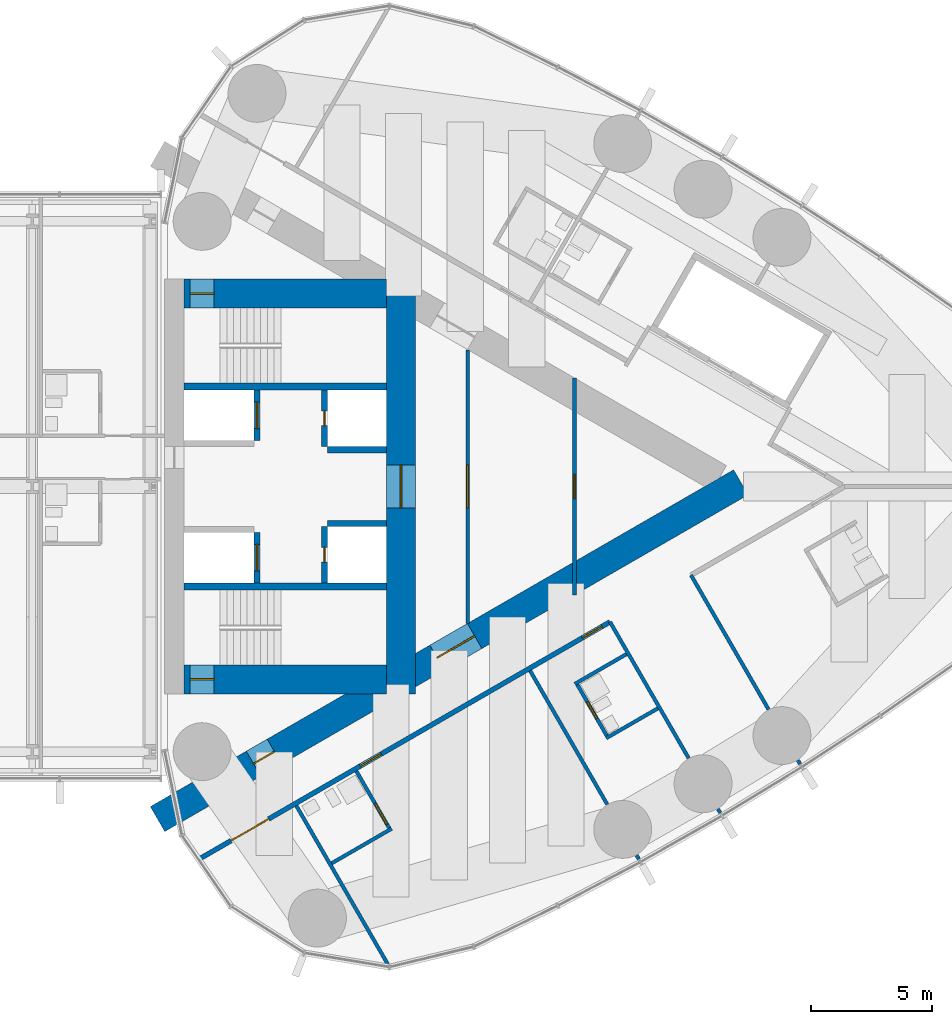
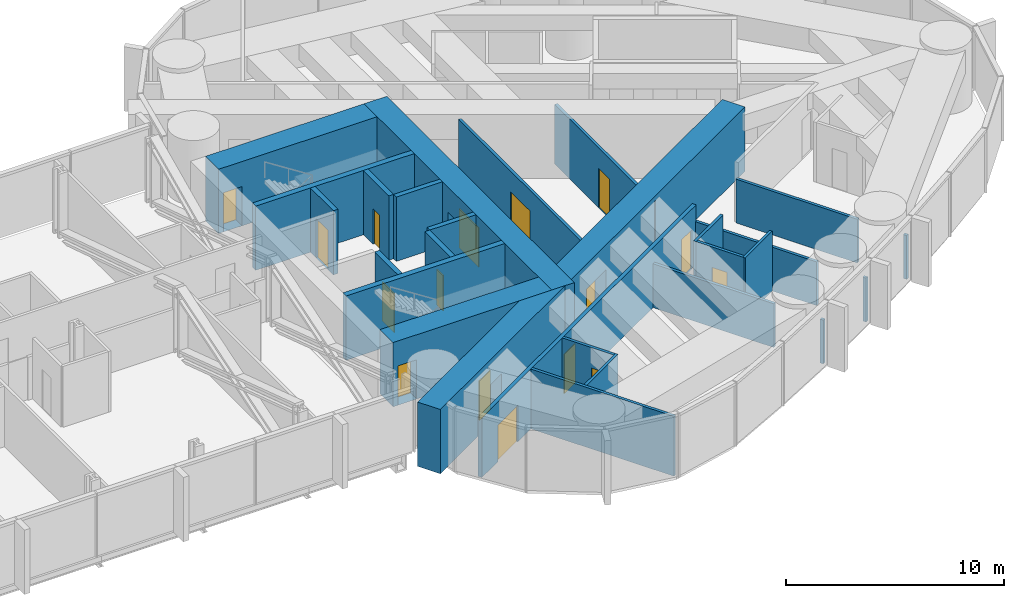
# One storey, part 18 of 22: 27 walls, 16 doors, 16 openings.
"""IFC4 building model written with IfcOpenShell, lengths in metres."""

import ifcopenshell
import ifcopenshell.guid

model = None  # the IFC model being written
_history = None  # IfcOwnerHistory: only IFC2X3 demands one
_inside = {}  # id of a spatial element -> (the spatial element, [elements in it])
_under = {}  # id of a project, library or spatial element -> (it, [spatial elements below it])
_declared = {}  # id of a project -> (the project, [libraries it declares])
_typed = {}  # id of a type object -> (the type object, [elements of that type])
_made_of = {}  # id of a material, layer set ... -> (it, [elements and type objects made of it])


def new_model(schema):
    """Start an empty IFC model of exactly this schema.

    Asked for "IFC4X3", IfcOpenShell would pick the latest addendum, in which some entities
    have other attributes; the version numbers below select the first issue.
    IFC2X3 requires an IfcOwnerHistory on every rooted entity: one is made here for all.
    """
    global model, _history
    if schema == "IFC4X3":
        model = ifcopenshell.file(schema_version=(4, 3, 0, 0))
    else:
        model = ifcopenshell.file(schema=schema)
    _inside.clear()
    _under.clear()
    _declared.clear()
    _typed.clear()
    _made_of.clear()
    _history = None
    if model.schema == "IFC2X3":
        org = make("IfcOrganization", Name="unknown")
        user = make(
            "IfcPersonAndOrganization",
            ThePerson=make("IfcPerson", FamilyName="unknown"),
            TheOrganization=org,
        )
        app = make(
            "IfcApplication",
            ApplicationDeveloper=org,
            Version="unknown",
            ApplicationFullName="unknown",
            ApplicationIdentifier="unknown",
        )
        _history = make(
            "IfcOwnerHistory",
            OwningUser=user,
            OwningApplication=app,
            ChangeAction="ADDED",
            CreationDate=0,
        )
    return model


def make(cls, **values):
    """One entity of the class cls with the attributes given. An attribute that is None is left unset."""
    return model.create_entity(
        cls, **{name: value for name, value in values.items() if value is not None}
    )


def rooted(cls, **values):
    """An entity with a GlobalId (a new one), such as an element, a storey or a relation."""
    return make(cls, GlobalId=ifcopenshell.guid.new(), OwnerHistory=_history, **values)


def si_unit(unit_type, name, prefix=None):
    """IfcSIUnit, for example si_unit("LENGTHUNIT", "METRE", prefix="MILLI")."""
    return make("IfcSIUnit", UnitType=unit_type, Prefix=prefix, Name=name)


def assignment(units):
    """IfcUnitAssignment: the units of a project."""
    return None if units is None else make("IfcUnitAssignment", Units=units)


def point(xyz):
    """IfcCartesianPoint."""
    return None if xyz is None else make("IfcCartesianPoint", Coordinates=xyz)


def direction(xyz):
    """IfcDirection."""
    return None if xyz is None else make("IfcDirection", DirectionRatios=xyz)


def frame(location, z_axis=None, x_axis=None):
    """IfcAxis2Placement3D, a coordinate frame: its origin and axes. An axis left out is left unset."""
    return make(
        "IfcAxis2Placement3D",
        Location=point(location),
        Axis=direction(z_axis),
        RefDirection=direction(x_axis),
    )


def frame_2d(location, x_axis=None):
    """IfcAxis2Placement2D, a coordinate frame in the plane: its origin and x axis."""
    return make(
        "IfcAxis2Placement2D", Location=point(location), RefDirection=direction(x_axis)
    )


def origin():
    """The frame at (0, 0, 0) with its axes left unset."""
    return frame((0.0, 0.0, 0.0))


def place(relative_to, where):
    """IfcLocalPlacement: puts the frame where relative to a parent placement (None: the world)."""
    return make(
        "IfcLocalPlacement", PlacementRelTo=relative_to, RelativePlacement=where
    )


def context(
    kind, dimensions, precision=None, world=None, true_north=None, identifier=None
):
    """IfcGeometricRepresentationContext, for example the 3D "Model" context."""
    return make(
        "IfcGeometricRepresentationContext",
        ContextIdentifier=identifier,
        ContextType=kind,
        CoordinateSpaceDimension=dimensions,
        Precision=precision,
        WorldCoordinateSystem=world,
        TrueNorth=true_north,
    )


def subcontext(parent, identifier, kind, view, scale=None):
    """IfcGeometricRepresentationSubContext, for example "Body" below "Model"."""
    return make(
        "IfcGeometricRepresentationSubContext",
        ContextIdentifier=identifier,
        ContextType=kind,
        ParentContext=parent,
        TargetScale=scale,
        TargetView=view,
    )


def project(units=None, contexts=None):
    """IfcProject with its units and contexts."""
    return rooted(
        "IfcProject",
        Name="project",
        RepresentationContexts=contexts,
        UnitsInContext=assignment(units),
    )


def spatial(cls, under=None, at=None, **own):
    """A site, building, storey or space (cls), placed at a placement, below another one or the project."""
    s = rooted(cls, ObjectPlacement=at, **own)
    if under is not None:
        _under.setdefault(under.id(), (under, []))[1].append(s)
    return s


def profile(cls, at=None, kind="AREA", **sizes):
    """A parametric profile (cls). Its sizes go by their IFC names, for example OverallWidth=200.0."""
    return make(cls, ProfileType=kind, Position=at, **sizes)


def rectangle(**sizes):
    """IfcRectangleProfileDef."""
    return profile("IfcRectangleProfileDef", **sizes)


def extrude(swept, where, along, depth):
    """IfcExtrudedAreaSolid: the profile swept, set in the frame where, extruded along a direction by depth."""
    return make(
        "IfcExtrudedAreaSolid",
        SweptArea=swept,
        Position=where,
        ExtrudedDirection=direction(along),
        Depth=depth,
    )


def shape(context_of_items, identifier, shape_type, items):
    """IfcShapeRepresentation: the items that make up one representation, for example the "Body"."""
    return make(
        "IfcShapeRepresentation",
        ContextOfItems=context_of_items,
        RepresentationIdentifier=identifier,
        RepresentationType=shape_type,
        Items=items,
    )


def material(Name=None, Category=None):
    """IfcMaterial."""
    return make("IfcMaterial", Name=Name, Category=Category)


def layer(
    of_material, thickness, ventilated=None, Name=None, Category=None, Priority=None
):
    """IfcMaterialLayer: one layer of a wall or slab, of a material (None: an air gap)."""
    return make(
        "IfcMaterialLayer",
        Material=of_material,
        LayerThickness=thickness,
        IsVentilated=ventilated,
        Name=Name,
        Category=Category,
        Priority=Priority,
    )


def layer_set(layers, Name=None):
    """IfcMaterialLayerSet."""
    return make("IfcMaterialLayerSet", MaterialLayers=layers, LayerSetName=Name)


def made_of(thing, what):
    """Note that an element or type object is made of a material, layer set ...; save() writes the relation."""
    if what is not None:
        _made_of.setdefault(what.id(), (what, []))[1].append(thing)
    return thing


def type_object(cls, material=None, **own):
    """A type object (cls), such as IfcWallType, which elements share."""
    return made_of(rooted(cls, **own), material)


def element(
    cls,
    number,
    at=None,
    inside=None,
    cuts=None,
    type_object=None,
    material=None,
    context=None,
    identifier="Body",
    shape_type=None,
    held_by="IfcProductDefinitionShape",
    body=None,
    shapes=None,
    **own,
):
    """One element of the class cls, such as IfcWall. Its Tag is "e" and its number.

    at: its placement. inside: the storey or other place that contains it. cuts: it is an
    opening in that element (IfcRelVoidsElement). A single representation is given by context,
    identifier, shape_type and body (its items); several are given by shapes. held_by: the class
    of the entity that holds the representations. save() writes the other relations.
    """
    e = rooted(cls, Tag="e%d" % number, ObjectPlacement=at, **own)
    if body is not None:
        shapes = [shape(context, identifier, shape_type, body)]
    if shapes is not None:
        e.Representation = make(held_by, Representations=shapes)
    if inside is not None:
        _inside.setdefault(inside.id(), (inside, []))[1].append(e)
    if cuts is not None:
        rooted(
            "IfcRelVoidsElement", RelatingBuildingElement=cuts, RelatedOpeningElement=e
        )
    if type_object is not None:
        _typed.setdefault(type_object.id(), (type_object, []))[1].append(e)
    return made_of(e, material)


def fill(opening, filler):
    """IfcRelFillsElement: the door or window that sits in an opening."""
    return rooted(
        "IfcRelFillsElement",
        RelatingOpeningElement=opening,
        RelatedBuildingElement=filler,
    )


def aggregate(whole, parts):
    """IfcRelAggregates: a whole, such as a stair, and the parts it consists of."""
    return rooted("IfcRelAggregates", RelatingObject=whole, RelatedObjects=parts)


def save(model, path):
    """Write the relations noted so far, then the file.

    IfcRelAggregates (storeys below a building ...), IfcRelContainedInSpatialStructure (elements
    in a storey), IfcRelDefinesByType, IfcRelAssociatesMaterial and IfcRelDeclares: one each for
    every whole, place, type object, material and project.
    """
    for whole, parts in _under.values():
        aggregate(whole, parts)
    for where, things in _inside.values():
        rooted(
            "IfcRelContainedInSpatialStructure",
            RelatedElements=things,
            RelatingStructure=where,
        )
    for kind, things in _typed.values():
        rooted("IfcRelDefinesByType", RelatedObjects=things, RelatingType=kind)
    for what, things in _made_of.values():
        rooted("IfcRelAssociatesMaterial", RelatedObjects=things, RelatingMaterial=what)
    for by, libraries in _declared.values():
        rooted("IfcRelDeclares", RelatingContext=by, RelatedDefinitions=libraries)
    model.write(path)


model = new_model("IFC4")

# Units and contexts
model_context = context("Model", 3, precision=1e-05, world=origin(), true_north=direction((0.0, 1.0)))
body_context = subcontext(model_context, "Body", "Model", "MODEL_VIEW")
ifc_project = project(units=[si_unit("LENGTHUNIT", "METRE"), si_unit("AREAUNIT", "SQUARE_METRE"), si_unit("VOLUMEUNIT", "CUBIC_METRE"), si_unit("PLANEANGLEUNIT", "RADIAN"), si_unit("MASSUNIT", "GRAM", prefix="KILO")], contexts=[model_context])

# Site, building, storey
site_placement = place(None, origin())
site = spatial("IfcSite", under=ifc_project, at=site_placement, CompositionType="ELEMENT")
building_placement = place(site_placement, origin())
building = spatial("IfcBuilding", under=site, at=building_placement, Name="Lancet Gate Hotel", CompositionType="ELEMENT")
storey_placement = place(building_placement, frame((0.0, 0.0, 226.10009765625)))
storey = spatial("IfcBuildingStorey", under=building, at=storey_placement, Name="L60", CompositionType="ELEMENT", Elevation=226.10009765625)

# Wall
ifc_material_1 = material(Name="Moisture resistant board partition")
ifc_layer_1 = layer(ifc_material_1, 0.14990234375)
ifc_layer_set_1 = layer_set([ifc_layer_1], Name="Bathroom wall 150")
wall_type_1 = type_object("IfcWallType", Name="Bathroom wall 150", PredefinedType="PARTITIONING", material=ifc_layer_set_1)
wall_1_placement = place(storey_placement, frame((34.425048828125, -15.633056640625, 0.0), z_axis=(0.0, 0.0, 1.0), x_axis=(0.866018712932, 0.500011588718, 0.0)))
element("IfcWall", 1, at=wall_1_placement, inside=storey, type_object=wall_type_1, Name="T2 bathroom wall 150 L60", PredefinedType="PARTITIONING", context=body_context, shape_type="SweptSolid", body=[
    extrude(rectangle(XDim=2.875, YDim=0.14990234375, at=frame_2d((1.4375, 0.0))), origin(), (0.0, 0.0, 1.0), 3.349853515625),
])

# Wall, opening, door
wall_2_placement = place(storey_placement, frame((35.449951171875, -11.80810546875, 0.0), z_axis=(0.0, 0.0, 1.0), x_axis=(0.49994636267, -0.866056369097, 0.0)))
wall_2 = element("IfcWall", 2, at=wall_2_placement, inside=storey, type_object=wall_type_1, Name="T2 bathroom wall 150 L60", PredefinedType="PARTITIONING", context=body_context, shape_type="SweptSolid", body=[
    extrude(rectangle(XDim=2.800048828125, YDim=0.14990234375, at=frame_2d((1.39990234375, 0.0))), origin(), (0.0, 0.0, 1.0), 3.349853515625),
])
opening_1_placement = place(wall_2_placement, frame((1.550048828125, 0.0, 0.0)))
opening_1 = element("IfcOpeningElement", 3, at=opening_1_placement, cuts=wall_2, Name="Opening 6052-B", PredefinedType="OPENING", context=body_context, shape_type="SweptSolid", body=[
    extrude(rectangle(XDim=1.0, YDim=2.199951171875, at=frame_2d((0.5, 1.10009765625))), frame((0.0, 0.0849609375, 0.0), z_axis=(0.0, -1.0, 0.0), x_axis=(1.0, 0.0, 0.0)), (0.0, 0.0, 1.0), 0.169921875),
])
ifc_material_2 = material(Name="Timber door set", Category="wood")
door_type_1 = type_object("IfcDoorType", Name="Accessible en-suite door 1000", OperationType="SINGLE_SWING_RIGHT", PredefinedType="DOOR", material=ifc_material_2)
door_1_placement = place(opening_1_placement, origin())
door_1 = element("IfcDoor", 4, at=door_1_placement, inside=storey, type_object=door_type_1, Name="6052-B", OperationType="SINGLE_SWING_RIGHT", OverallHeight=2.199951171875, OverallWidth=1.0, PredefinedType="DOOR", context=body_context, shape_type="SweptSolid", body=[
    extrude(rectangle(XDim=1.0, YDim=2.199951171875, at=frame_2d((0.5, 1.10009765625))), frame((0.0, 0.02490234375, 0.0), z_axis=(0.0, -1.0, 0.0), x_axis=(1.0, 0.0, 0.0)), (0.0, 0.0, 1.0), 0.050048828125),
])
fill(opening_1, door_1)

# Wall
wall_3_placement = place(storey_placement, frame((45.814453125, -10.44287109375, 0.0), z_axis=(0.0, 0.0, 1.0), x_axis=(0.866073894602, 0.499916002032, 0.0)))
element("IfcWall", 5, at=wall_3_placement, inside=storey, type_object=wall_type_1, Name="T2 bathroom wall 150 L60", PredefinedType="PARTITIONING", context=body_context, shape_type="SweptSolid", body=[
    extrude(rectangle(XDim=2.47509765625, YDim=0.14990234375, at=frame_2d((1.237548828125, 0.0))), origin(), (0.0, 0.0, 1.0), 3.349853515625),
])

# Wall, opening, door
wall_4_placement = place(storey_placement, frame((44.579345703125, -8.15380859375, 0.0), z_axis=(0.0, 0.0, 1.0), x_axis=(0.500006934395, -0.866021400173, 0.0)))
wall_4 = element("IfcWall", 6, at=wall_4_placement, inside=storey, type_object=wall_type_1, Name="T2 bathroom wall 150 L60", PredefinedType="PARTITIONING", context=body_context, shape_type="SweptSolid", body=[
    extrude(rectangle(XDim=2.60009765625, YDim=0.14990234375, at=frame_2d((1.300048828125, 0.0))), origin(), (0.0, 0.0, 1.0), 3.349853515625),
])
opening_2_placement = place(wall_4_placement, frame((0.89990234375, 0.0, 0.0)))
opening_2 = element("IfcOpeningElement", 7, at=opening_2_placement, cuts=wall_4, Name="Opening 6053-B", PredefinedType="OPENING", context=body_context, shape_type="SweptSolid", body=[
    extrude(rectangle(XDim=0.800048828125, YDim=2.199951171875, at=frame_2d((0.39990234375, 1.10009765625))), frame((0.0, 0.0849609375, 0.0), z_axis=(0.0, -1.0, 0.0), x_axis=(1.0, 0.0, 0.0)), (0.0, 0.0, 1.0), 0.169921875),
])
ifc_material_3 = material(Name="Timber door set", Category="wood")
door_type_2 = type_object("IfcDoorType", Name="Bathroom door 800", OperationType="SINGLE_SWING_RIGHT", PredefinedType="DOOR", material=ifc_material_3)
door_2_placement = place(opening_2_placement, origin())
door_2 = element("IfcDoor", 8, at=door_2_placement, inside=storey, type_object=door_type_2, Name="6053-B", OperationType="SINGLE_SWING_RIGHT", OverallHeight=2.199951171875, OverallWidth=0.800048828125, PredefinedType="DOOR", context=body_context, shape_type="SweptSolid", body=[
    extrude(rectangle(XDim=0.800048828125, YDim=2.199951171875, at=frame_2d((0.39990234375, 1.10009765625))), frame((0.0, 0.02490234375, 0.0), z_axis=(0.0, -1.0, 0.0), x_axis=(1.0, 0.0, 0.0)), (0.0, 0.0, 1.0), 0.050048828125),
])
fill(opening_2, door_2)

# Wall
wall_5_placement = place(storey_placement, frame((44.514404296875, -8.19140625, 0.0), z_axis=(0.0, 0.0, 1.0), x_axis=(0.866031185235, 0.4999899861, 0.0)))
element("IfcWall", 9, at=wall_5_placement, inside=storey, type_object=wall_type_1, Name="T2 bathroom wall 150 L60", PredefinedType="PARTITIONING", context=body_context, shape_type="SweptSolid", body=[
    extrude(rectangle(XDim=2.47509765625, YDim=0.14990234375, at=frame_2d((1.237548828125, 0.0))), origin(), (0.0, 0.0, 1.0), 3.349853515625),
])

# Wall, openings, doors
ifc_material_4 = material(Name="Concrete C70/85", Category="concrete")
ifc_layer_2 = layer(ifc_material_4, 1.199951171875)
ifc_layer_set_2 = layer_set([ifc_layer_2], Name="Buttress wall 1200")
wall_type_2 = type_object("IfcWallType", Name="Buttress wall 1200", PredefinedType="SHEAR", material=ifc_layer_set_2)
wall_6_placement = place(storey_placement, frame((27.199951171875, -13.800048828125, 0.0), z_axis=(0.0, 0.0, 1.0), x_axis=(0.866027159892, 0.499996958321, 0.0)))
wall_6 = element("IfcWall", 10, at=wall_6_placement, inside=storey, type_object=wall_type_2, Name="T2 buttress wall S L60", PredefinedType="SHEAR", context=body_context, shape_type="SweptSolid", body=[
    extrude(rectangle(XDim=27.946533203125, YDim=1.199951171875, at=frame_2d((13.97314453125, 0.0))), origin(), (0.0, 0.0, 1.0), 3.599853515625),
])
opening_3_placement = place(wall_6_placement, frame((4.60009765625, 0.0, 0.0)))
opening_3 = element("IfcOpeningElement", 11, at=opening_3_placement, cuts=wall_6, Name="Opening T2-L60-LS", PredefinedType="OPENING", context=body_context, shape_type="SweptSolid", body=[
    extrude(rectangle(XDim=1.0, YDim=2.199951171875, at=frame_2d((0.5, 1.10009765625))), frame((0.0, 0.60986328125, 0.0), z_axis=(0.0, -1.0, 0.0), x_axis=(1.0, 0.0, 0.0)), (0.0, 0.0, 1.0), 1.219970703125),
])
opening_4_placement = place(wall_6_placement, frame((13.39453125, 0.0, 0.0)))
opening_4 = element("IfcOpeningElement", 12, at=opening_4_placement, cuts=wall_6, Name="Opening T2-L60-LHS", PredefinedType="OPENING", context=body_context, shape_type="SweptSolid", body=[
    extrude(rectangle(XDim=1.800048828125, YDim=2.199951171875, at=frame_2d((0.89990234375, 1.10009765625))), frame((0.0, 0.60986328125, 0.0), z_axis=(0.0, -1.0, 0.0), x_axis=(1.0, 0.0, 0.0)), (0.0, 0.0, 1.0), 1.219970703125),
])
ifc_material_5 = material(Name="Timber door set", Category="wood")
door_type_3 = type_object("IfcDoorType", Name="Lobby double door 1800", OperationType="DOUBLE_DOOR_SINGLE_SWING", PredefinedType="DOOR", material=ifc_material_5)
door_3_placement = place(opening_4_placement, origin())
door_3 = element("IfcDoor", 13, at=door_3_placement, inside=storey, type_object=door_type_3, Name="T2-L60-LHS", OperationType="DOUBLE_DOOR_SINGLE_SWING", OverallHeight=2.199951171875, OverallWidth=1.800048828125, PredefinedType="DOOR", context=body_context, shape_type="SweptSolid", body=[
    extrude(rectangle(XDim=1.800048828125, YDim=2.199951171875, at=frame_2d((0.89990234375, 1.10009765625))), frame((0.0, 0.02490234375, 0.0), z_axis=(0.0, -1.0, 0.0), x_axis=(1.0, 0.0, 0.0)), (0.0, 0.0, 1.0), 0.050048828125),
])
fill(opening_4, door_3)
ifc_material_6 = material(Name="Timber door set", Category="wood")
door_type_4 = type_object("IfcDoorType", Name="Stair lobby door 1000", OperationType="SINGLE_SWING_LEFT", PredefinedType="DOOR", material=ifc_material_6)
door_4_placement = place(opening_3_placement, origin())
door_4 = element("IfcDoor", 14, at=door_4_placement, inside=storey, type_object=door_type_4, Name="T2-L60-LS", OperationType="SINGLE_SWING_LEFT", OverallHeight=2.199951171875, OverallWidth=1.0, PredefinedType="DOOR", context=body_context, shape_type="SweptSolid", body=[
    extrude(rectangle(XDim=1.0, YDim=2.199951171875, at=frame_2d((0.5, 1.10009765625))), frame((0.0, 0.02490234375, 0.0), z_axis=(0.0, -1.0, 0.0), x_axis=(1.0, 0.0, 0.0)), (0.0, 0.0, 1.0), 0.050048828125),
])
fill(opening_3, door_4)

# Wall, opening, door
ifc_material_7 = material(Name="Concrete C70/85", Category="concrete")
ifc_layer_3 = layer(ifc_material_7, 1.199951171875)
ifc_layer_set_3 = layer_set([ifc_layer_3], Name="Core wall 1200")
wall_type_3 = type_object("IfcWallType", Name="Core wall 1200", PredefinedType="SHEAR", material=ifc_layer_set_3)
wall_7_placement = place(storey_placement, frame((37.300048828125, -8.60009765625, 0.0), z_axis=(0.0, 0.0, 1.0), x_axis=(0.0, 1.0, 0.0)))
wall_7 = element("IfcWall", 15, at=wall_7_placement, inside=storey, type_object=wall_type_3, Name="T2 core wall back L60", PredefinedType="SHEAR", context=body_context, shape_type="SweptSolid", body=[
    extrude(rectangle(XDim=17.2001953125, YDim=1.199951171875, at=frame_2d((8.60009765625, 0.0))), origin(), (0.0, 0.0, 1.0), 3.599853515625),
])
opening_5_placement = place(wall_7_placement, frame((7.699951171875, 0.0, 0.0)))
opening_5 = element("IfcOpeningElement", 16, at=opening_5_placement, cuts=wall_7, Name="Opening T2-L60-LL", PredefinedType="OPENING", context=body_context, shape_type="SweptSolid", body=[
    extrude(rectangle(XDim=1.800048828125, YDim=2.199951171875, at=frame_2d((0.89990234375, 1.10009765625))), frame((0.0, 0.60986328125, 0.0), z_axis=(0.0, -1.0, 0.0), x_axis=(1.0, 0.0, 0.0)), (0.0, 0.0, 1.0), 1.219970703125),
])
door_5_placement = place(opening_5_placement, origin())
door_5 = element("IfcDoor", 17, at=door_5_placement, inside=storey, type_object=door_type_3, Name="T2-L60-LL", OperationType="DOUBLE_DOOR_SINGLE_SWING", OverallHeight=2.199951171875, OverallWidth=1.800048828125, PredefinedType="DOOR", context=body_context, shape_type="SweptSolid", body=[
    extrude(rectangle(XDim=1.800048828125, YDim=2.199951171875, at=frame_2d((0.89990234375, 1.10009765625))), frame((0.0, 0.02490234375, 0.0), z_axis=(0.0, -1.0, 0.0), x_axis=(1.0, 0.0, 0.0)), (0.0, 0.0, 1.0), 0.050048828125),
])
fill(opening_5, door_5)

wall_8_placement = place(storey_placement, frame((28.300048828125, -8.0, 0.0), z_axis=(0.0, 0.0, 1.0), x_axis=(1.0, 0.0, 0.0)))
wall_8 = element("IfcWall", 18, at=wall_8_placement, inside=storey, type_object=wall_type_3, Name="T2 core wall side-S L60", PredefinedType="SHEAR", context=body_context, shape_type="SweptSolid", body=[
    extrude(rectangle(XDim=8.39990234375, YDim=1.199951171875, at=frame_2d((4.199951171875, 0.0))), origin(), (0.0, 0.0, 1.0), 3.599853515625),
])
opening_6_placement = place(wall_8_placement, frame((0.25, 0.0, 0.0)))
opening_6 = element("IfcOpeningElement", 19, at=opening_6_placement, cuts=wall_8, Name="Opening T2-L60-ST1", PredefinedType="OPENING", context=body_context, shape_type="SweptSolid", body=[
    extrude(rectangle(XDim=1.0, YDim=2.199951171875, at=frame_2d((0.5, 1.10009765625))), frame((0.0, 0.60986328125, 0.0), z_axis=(0.0, -1.0, 0.0), x_axis=(1.0, 0.0, 0.0)), (0.0, 0.0, 1.0), 1.219970703125),
])
ifc_material_8 = material(Name="Timber door set", Category="wood")
door_type_5 = type_object("IfcDoorType", Name="Stair door 1000", OperationType="SINGLE_SWING_RIGHT", PredefinedType="DOOR", material=ifc_material_8)
door_6_placement = place(opening_6_placement, origin())
door_6 = element("IfcDoor", 20, at=door_6_placement, inside=storey, type_object=door_type_5, Name="T2-L60-ST1", OperationType="SINGLE_SWING_RIGHT", OverallHeight=2.199951171875, OverallWidth=1.0, PredefinedType="DOOR", context=body_context, shape_type="SweptSolid", body=[
    extrude(rectangle(XDim=1.0, YDim=2.199951171875, at=frame_2d((0.5, 1.10009765625))), frame((0.0, 0.02490234375, 0.0), z_axis=(0.0, -1.0, 0.0), x_axis=(1.0, 0.0, 0.0)), (0.0, 0.0, 1.0), 0.050048828125),
])
fill(opening_6, door_6)

wall_9_placement = place(storey_placement, frame((28.300048828125, 8.0, 0.0), z_axis=(0.0, 0.0, 1.0), x_axis=(1.0, 0.0, 0.0)))
wall_9 = element("IfcWall", 21, at=wall_9_placement, inside=storey, type_object=wall_type_3, Name="T2 core wall side-N L60", PredefinedType="SHEAR", context=body_context, shape_type="SweptSolid", body=[
    extrude(rectangle(XDim=8.39990234375, YDim=1.199951171875, at=frame_2d((4.199951171875, 0.0))), origin(), (0.0, 0.0, 1.0), 3.599853515625),
])
opening_7_placement = place(wall_9_placement, frame((0.25, 0.0, 0.0)))
opening_7 = element("IfcOpeningElement", 22, at=opening_7_placement, cuts=wall_9, Name="Opening T2-L60-ST2", PredefinedType="OPENING", context=body_context, shape_type="SweptSolid", body=[
    extrude(rectangle(XDim=1.0, YDim=2.199951171875, at=frame_2d((0.5, 1.10009765625))), frame((0.0, 0.60986328125, 0.0), z_axis=(0.0, -1.0, 0.0), x_axis=(1.0, 0.0, 0.0)), (0.0, 0.0, 1.0), 1.219970703125),
])
door_7_placement = place(opening_7_placement, origin())
door_7 = element("IfcDoor", 23, at=door_7_placement, inside=storey, type_object=door_type_5, Name="T2-L60-ST2", OperationType="SINGLE_SWING_RIGHT", OverallHeight=2.199951171875, OverallWidth=1.0, PredefinedType="DOOR", context=body_context, shape_type="SweptSolid", body=[
    extrude(rectangle(XDim=1.0, YDim=2.199951171875, at=frame_2d((0.5, 1.10009765625))), frame((0.0, 0.02490234375, 0.0), z_axis=(0.0, -1.0, 0.0), x_axis=(1.0, 0.0, 0.0)), (0.0, 0.0, 1.0), 0.050048828125),
])
fill(opening_7, door_7)

# Wall, openings, doors
ifc_material_9 = material(Name="Gypsum board partition")
ifc_layer_4 = layer(ifc_material_9, 0.199951171875)
ifc_layer_set_4 = layer_set([ifc_layer_4], Name="Corridor wall 200")
wall_type_4 = type_object("IfcWallType", Name="Corridor wall 200", PredefinedType="PARTITIONING", material=ifc_layer_set_4)
wall_10_placement = place(storey_placement, frame((28.958984375, -15.440185546875, 0.0), z_axis=(0.0, 0.0, 1.0), x_axis=(0.866025204199, 0.500000345692, 0.0)))
wall_10 = element("IfcWall", 24, at=wall_10_placement, inside=storey, type_object=wall_type_4, Name="T2 corridor wall 200 L60", PredefinedType="PARTITIONING", context=body_context, shape_type="SweptSolid", body=[
    extrude(rectangle(XDim=19.64599609375, YDim=0.199951171875, at=frame_2d((9.822998046875, 0.0))), origin(), (0.0, 0.0, 1.0), 3.349853515625),
])
opening_8_placement = place(wall_10_placement, frame((1.49365234375, 0.0, 0.0)))
opening_8 = element("IfcOpeningElement", 25, at=opening_8_placement, cuts=wall_10, Name="Opening 6051-E", PredefinedType="OPENING", context=body_context, shape_type="SweptSolid", body=[
    extrude(rectangle(XDim=1.800048828125, YDim=2.0400390625, at=frame_2d((0.89990234375, 1.02001953125))), frame((0.0, 0.10986328125, 0.0), z_axis=(0.0, -1.0, 0.0), x_axis=(1.0, 0.0, 0.0)), (0.0, 0.0, 1.0), 0.219970703125),
])
opening_9_placement = place(wall_10_placement, frame((7.687255859375, 0.0, 0.0)))
opening_9 = element("IfcOpeningElement", 26, at=opening_9_placement, cuts=wall_10, Name="Opening 6052-E", PredefinedType="OPENING", context=body_context, shape_type="SweptSolid", body=[
    extrude(rectangle(XDim=1.0, YDim=2.199951171875, at=frame_2d((0.5, 1.10009765625))), frame((0.0, 0.10986328125, 0.0), z_axis=(0.0, -1.0, 0.0), x_axis=(1.0, 0.0, 0.0)), (0.0, 0.0, 1.0), 0.219970703125),
])
opening_10_placement = place(wall_10_placement, frame((18.32080078125, 0.0, 0.0)))
opening_10 = element("IfcOpeningElement", 27, at=opening_10_placement, cuts=wall_10, Name="Opening 6053-E", PredefinedType="OPENING", context=body_context, shape_type="SweptSolid", body=[
    extrude(rectangle(XDim=0.949951171875, YDim=2.199951171875, at=frame_2d((0.47509765625, 1.10009765625))), frame((0.0, 0.10986328125, 0.0), z_axis=(0.0, -1.0, 0.0), x_axis=(1.0, 0.0, 0.0)), (0.0, 0.0, 1.0), 0.219970703125),
])
ifc_material_10 = material(Name="Timber door set", Category="wood")
door_type_6 = type_object("IfcDoorType", Name="Accessible guest room door 1000", OperationType="SINGLE_SWING_LEFT", PredefinedType="DOOR", material=ifc_material_10)
door_8_placement = place(opening_9_placement, origin())
door_8 = element("IfcDoor", 28, at=door_8_placement, inside=storey, type_object=door_type_6, Name="6052-E", OperationType="SINGLE_SWING_LEFT", OverallHeight=2.199951171875, OverallWidth=1.0, PredefinedType="DOOR", context=body_context, shape_type="SweptSolid", body=[
    extrude(rectangle(XDim=1.0, YDim=2.199951171875, at=frame_2d((0.5, 1.10009765625))), frame((0.0, 0.02490234375, 0.0), z_axis=(0.0, -1.0, 0.0), x_axis=(1.0, 0.0, 0.0)), (0.0, 0.0, 1.0), 0.050048828125),
])
fill(opening_9, door_8)
ifc_material_11 = material(Name="Timber door set", Category="wood")
door_type_7 = type_object("IfcDoorType", Name="Double door 1800, 2040 high", OperationType="DOUBLE_DOOR_SINGLE_SWING", PredefinedType="DOOR", material=ifc_material_11)
door_9_placement = place(opening_8_placement, origin())
door_9 = element("IfcDoor", 29, at=door_9_placement, inside=storey, type_object=door_type_7, Name="6051-E", OperationType="DOUBLE_DOOR_SINGLE_SWING", OverallHeight=2.0400390625, OverallWidth=1.800048828125, PredefinedType="DOOR", context=body_context, shape_type="SweptSolid", body=[
    extrude(rectangle(XDim=1.800048828125, YDim=2.0400390625, at=frame_2d((0.89990234375, 1.02001953125))), frame((0.0, 0.02490234375, 0.0), z_axis=(0.0, -1.0, 0.0), x_axis=(1.0, 0.0, 0.0)), (0.0, 0.0, 1.0), 0.050048828125),
])
fill(opening_8, door_9)
ifc_material_12 = material(Name="Timber door set", Category="wood")
door_type_8 = type_object("IfcDoorType", Name="Guest room entry door 950", OperationType="SINGLE_SWING_LEFT", PredefinedType="DOOR", material=ifc_material_12)
door_10_placement = place(opening_10_placement, origin())
door_10 = element("IfcDoor", 30, at=door_10_placement, inside=storey, type_object=door_type_8, Name="6053-E", OperationType="SINGLE_SWING_LEFT", OverallHeight=2.199951171875, OverallWidth=0.949951171875, PredefinedType="DOOR", context=body_context, shape_type="SweptSolid", body=[
    extrude(rectangle(XDim=0.949951171875, YDim=2.199951171875, at=frame_2d((0.47509765625, 1.10009765625))), frame((0.0, 0.02490234375, 0.0), z_axis=(0.0, -1.0, 0.0), x_axis=(1.0, 0.0, 0.0)), (0.0, 0.0, 1.0), 0.050048828125),
])
fill(opening_10, door_10)

# Wall, opening, door
ifc_material_13 = material(Name="Concrete C50/60", Category="concrete")
ifc_layer_5 = layer(ifc_material_13, 0.25)
ifc_layer_set_5 = layer_set([ifc_layer_5], Name="Lift shaft wall 250")
wall_type_5 = type_object("IfcWallType", Name="Lift shaft wall 250", PredefinedType="SHEAR", material=ifc_layer_set_5)
wall_11_placement = place(storey_placement, frame((31.324951171875, -4.0, 0.0), z_axis=(0.0, 0.0, 1.0), x_axis=(0.0, 1.0, 0.0)))
wall_11 = element("IfcWall", 31, at=wall_11_placement, inside=storey, type_object=wall_type_5, Name="T2 core wall row1-S L60", PredefinedType="SHEAR", context=body_context, shape_type="SweptSolid", body=[
    extrude(rectangle(XDim=2.10009765625, YDim=0.25, at=frame_2d((1.050048828125, 0.0))), origin(), (0.0, 0.0, 1.0), 3.599853515625),
])
opening_11_placement = place(wall_11_placement, frame((0.5, 0.0, 0.0)))
opening_11 = element("IfcOpeningElement", 32, at=opening_11_placement, cuts=wall_11, Name="Opening T2-SL1-L60", PredefinedType="OPENING", context=body_context, shape_type="SweptSolid", body=[
    extrude(rectangle(XDim=1.10009765625, YDim=2.199951171875, at=frame_2d((0.550048828125, 1.10009765625))), frame((0.0, 0.135009765625, 0.0), z_axis=(0.0, -1.0, 0.0), x_axis=(1.0, 0.0, 0.0)), (0.0, 0.0, 1.0), 0.27001953125),
])
ifc_material_14 = material(Name="Timber door set", Category="wood")
door_type_9 = type_object("IfcDoorType", Name="Service lift landing door 1100", OperationType="SLIDING_TO_LEFT", PredefinedType="USERDEFINED", material=ifc_material_14)
door_11_placement = place(opening_11_placement, origin())
door_11 = element("IfcDoor", 33, at=door_11_placement, inside=storey, type_object=door_type_9, Name="T2-SL1-L60", ObjectType="LIFT LANDING DOOR", OperationType="SLIDING_TO_LEFT", OverallHeight=2.199951171875, OverallWidth=1.10009765625, PredefinedType="USERDEFINED", context=body_context, shape_type="SweptSolid", body=[
    extrude(rectangle(XDim=1.10009765625, YDim=2.199951171875, at=frame_2d((0.550048828125, 1.10009765625))), frame((0.0, 0.02490234375, 0.0), z_axis=(0.0, -1.0, 0.0), x_axis=(1.0, 0.0, 0.0)), (0.0, 0.0, 1.0), 0.050048828125),
])
fill(opening_11, door_11)

wall_12_placement = place(storey_placement, frame((34.125, -4.0, 0.0), z_axis=(0.0, 0.0, 1.0), x_axis=(0.0, 1.0, 0.0)))
wall_12 = element("IfcWall", 34, at=wall_12_placement, inside=storey, type_object=wall_type_5, Name="T2 core wall row2-S L60", PredefinedType="SHEAR", context=body_context, shape_type="SweptSolid", body=[
    extrude(rectangle(XDim=2.35009765625, YDim=0.25, at=frame_2d((1.175048828125, 0.0))), origin(), (0.0, 0.0, 1.0), 3.599853515625),
])
opening_12_placement = place(wall_12_placement, frame((0.875, 0.0, 0.0)))
opening_12 = element("IfcOpeningElement", 35, at=opening_12_placement, cuts=wall_12, Name="Opening T2-OL3-L60-E", PredefinedType="OPENING", context=body_context, shape_type="SweptSolid", body=[
    extrude(rectangle(XDim=0.60009765625, YDim=2.0, at=frame_2d((0.300048828125, 1.0))), frame((0.0, 0.135009765625, 0.0), z_axis=(0.0, -1.0, 0.0), x_axis=(1.0, 0.0, 0.0)), (0.0, 0.0, 1.0), 0.27001953125),
])
ifc_material_15 = material(Name="Steel door set", Category="steel")
door_type_10 = type_object("IfcDoorType", Name="Lift shaft emergency door 600x2000", OperationType="SLIDING_TO_LEFT", PredefinedType="DOOR", material=ifc_material_15)
door_12_placement = place(opening_12_placement, origin())
door_12 = element("IfcDoor", 36, at=door_12_placement, inside=storey, type_object=door_type_10, Name="T2-OL3-L60-E", OperationType="SLIDING_TO_LEFT", OverallHeight=2.0, OverallWidth=0.60009765625, PredefinedType="DOOR", context=body_context, shape_type="SweptSolid", body=[
    extrude(rectangle(XDim=0.60009765625, YDim=2.0, at=frame_2d((0.300048828125, 1.0))), frame((0.0, 0.02490234375, 0.0), z_axis=(0.0, -1.0, 0.0), x_axis=(1.0, 0.0, 0.0)), (0.0, 0.0, 1.0), 0.050048828125),
])
fill(opening_12, door_12)

# Wall
wall_13_placement = place(storey_placement, frame((34.25, -1.52490234375, 0.0), z_axis=(0.0, 0.0, 1.0), x_axis=(1.0, 0.0, 0.0)))
element("IfcWall", 37, at=wall_13_placement, inside=storey, type_object=wall_type_5, Name="T2 core wall pass2-S L60", PredefinedType="SHEAR", context=body_context, shape_type="SweptSolid", body=[
    extrude(rectangle(XDim=2.449951171875, YDim=0.25, at=frame_2d((1.22509765625, 0.0))), origin(), (0.0, 0.0, 1.0), 3.599853515625),
])

# Wall, opening, door
wall_14_placement = place(storey_placement, frame((31.324951171875, 1.89990234375, 0.0), z_axis=(0.0, 0.0, 1.0), x_axis=(0.0, 1.0, 0.0)))
wall_14 = element("IfcWall", 38, at=wall_14_placement, inside=storey, type_object=wall_type_5, Name="T2 core wall row1-N L60", PredefinedType="SHEAR", context=body_context, shape_type="SweptSolid", body=[
    extrude(rectangle(XDim=2.10009765625, YDim=0.25, at=frame_2d((1.050048828125, 0.0))), origin(), (0.0, 0.0, 1.0), 3.599853515625),
])
opening_13_placement = place(wall_14_placement, frame((0.5, 0.0, 0.0)))
opening_13 = element("IfcOpeningElement", 39, at=opening_13_placement, cuts=wall_14, Name="Opening T2-FL2-L60", PredefinedType="OPENING", context=body_context, shape_type="SweptSolid", body=[
    extrude(rectangle(XDim=1.10009765625, YDim=2.199951171875, at=frame_2d((0.550048828125, 1.10009765625))), frame((0.0, 0.135009765625, 0.0), z_axis=(0.0, -1.0, 0.0), x_axis=(1.0, 0.0, 0.0)), (0.0, 0.0, 1.0), 0.27001953125),
])
ifc_material_16 = material(Name="Steel door set", Category="steel")
door_type_11 = type_object("IfcDoorType", Name="Firefighting lift landing door 1100", OperationType="SLIDING_TO_LEFT", PredefinedType="USERDEFINED", material=ifc_material_16)
door_13_placement = place(opening_13_placement, origin())
door_13 = element("IfcDoor", 40, at=door_13_placement, inside=storey, type_object=door_type_11, Name="T2-FL2-L60", ObjectType="LIFT LANDING DOOR", OperationType="SLIDING_TO_LEFT", OverallHeight=2.199951171875, OverallWidth=1.10009765625, PredefinedType="USERDEFINED", context=body_context, shape_type="SweptSolid", body=[
    extrude(rectangle(XDim=1.10009765625, YDim=2.199951171875, at=frame_2d((0.550048828125, 1.10009765625))), frame((0.0, 0.02490234375, 0.0), z_axis=(0.0, -1.0, 0.0), x_axis=(1.0, 0.0, 0.0)), (0.0, 0.0, 1.0), 0.050048828125),
])
fill(opening_13, door_13)

wall_15_placement = place(storey_placement, frame((34.125, 1.64990234375, 0.0), z_axis=(0.0, 0.0, 1.0), x_axis=(0.0, 1.0, 0.0)))
wall_15 = element("IfcWall", 41, at=wall_15_placement, inside=storey, type_object=wall_type_5, Name="T2 core wall row2-N L60", PredefinedType="SHEAR", context=body_context, shape_type="SweptSolid", body=[
    extrude(rectangle(XDim=2.35009765625, YDim=0.25, at=frame_2d((1.175048828125, 0.0))), origin(), (0.0, 0.0, 1.0), 3.599853515625),
])
opening_14_placement = place(wall_15_placement, frame((0.875, 0.0, 0.0)))
opening_14 = element("IfcOpeningElement", 42, at=opening_14_placement, cuts=wall_15, Name="Opening T2-OL4-L60-E", PredefinedType="OPENING", context=body_context, shape_type="SweptSolid", body=[
    extrude(rectangle(XDim=0.60009765625, YDim=2.0, at=frame_2d((0.300048828125, 1.0))), frame((0.0, 0.135009765625, 0.0), z_axis=(0.0, -1.0, 0.0), x_axis=(1.0, 0.0, 0.0)), (0.0, 0.0, 1.0), 0.27001953125),
])
door_14_placement = place(opening_14_placement, origin())
door_14 = element("IfcDoor", 43, at=door_14_placement, inside=storey, type_object=door_type_10, Name="T2-OL4-L60-E", OperationType="SLIDING_TO_LEFT", OverallHeight=2.0, OverallWidth=0.60009765625, PredefinedType="DOOR", context=body_context, shape_type="SweptSolid", body=[
    extrude(rectangle(XDim=0.60009765625, YDim=2.0, at=frame_2d((0.300048828125, 1.0))), frame((0.0, 0.02490234375, 0.0), z_axis=(0.0, -1.0, 0.0), x_axis=(1.0, 0.0, 0.0)), (0.0, 0.0, 1.0), 0.050048828125),
])
fill(opening_14, door_14)

# Walls
wall_16_placement = place(storey_placement, frame((34.25, 1.52490234375, 0.0), z_axis=(0.0, 0.0, 1.0), x_axis=(1.0, 0.0, 0.0)))
element("IfcWall", 44, at=wall_16_placement, inside=storey, type_object=wall_type_5, Name="T2 core wall pass2-N L60", PredefinedType="SHEAR", context=body_context, shape_type="SweptSolid", body=[
    extrude(rectangle(XDim=2.449951171875, YDim=0.25, at=frame_2d((1.22509765625, 0.0))), origin(), (0.0, 0.0, 1.0), 3.599853515625),
])
ifc_material_17 = material(Name="Gypsum board partition")
ifc_layer_6 = layer(ifc_material_17, 0.14990234375)
ifc_layer_set_6 = layer_set([ifc_layer_6], Name="Party wall 150")
wall_type_6 = type_object("IfcWallType", Name="Party wall 150", PredefinedType="PARTITIONING", material=ifc_layer_set_6)
wall_17_placement = place(storey_placement, frame((32.9599609375, -13.24560546875, 0.0), z_axis=(0.0, 0.0, 1.0), x_axis=(0.500000236886, -0.866025267018, 0.0)))
element("IfcWall", 45, at=wall_17_placement, inside=storey, type_object=wall_type_6, Name="T2 party wall 150 L60", PredefinedType="PARTITIONING", context=body_context, shape_type="SweptSolid", body=[
    extrude(rectangle(XDim=7.58251953125, YDim=0.14990234375, at=frame_2d((3.791259765625, 0.0))), origin(), (0.0, 0.0, 1.0), 3.349853515625),
])
wall_18_placement = place(storey_placement, frame((42.65966796875, -7.6455078125, 0.0), z_axis=(0.0, 0.0, 1.0), x_axis=(0.499996592859, -0.866027370889, 0.0)))
element("IfcWall", 46, at=wall_18_placement, inside=storey, type_object=wall_type_6, Name="T2 party wall 150 L60", PredefinedType="PARTITIONING", context=body_context, shape_type="SweptSolid", body=[
    extrude(rectangle(XDim=6.3984375, YDim=0.14990234375, at=frame_2d((3.19921875, 0.0))), origin(), (0.0, 0.0, 1.0), 2.449951171875),
])
wall_19_placement = place(storey_placement, frame((47.078857421875, -15.2998046875, 0.0), z_axis=(0.0, 0.0, 1.0), x_axis=(0.499212083968, -0.866479829667, 0.0)))
element("IfcWall", 47, at=wall_19_placement, inside=storey, type_object=wall_type_6, Name="T2 party wall 150 L60", PredefinedType="PARTITIONING", context=body_context, shape_type="SweptSolid", body=[
    extrude(rectangle(XDim=0.179443359375, YDim=0.14990234375, at=frame_2d((0.08984375, 0.0))), origin(), (0.0, 0.0, 1.0), 2.449951171875),
])
wall_20_placement = place(storey_placement, frame((45.972900390625, -5.6171875, 0.0), z_axis=(0.0, 0.0, 1.0), x_axis=(0.499985856986, -0.866033569104, 0.0)))
element("IfcWall", 48, at=wall_20_placement, inside=storey, type_object=wall_type_6, Name="T2 party wall 150 L60", PredefinedType="PARTITIONING", context=body_context, shape_type="SweptSolid", body=[
    extrude(rectangle(XDim=6.525634765625, YDim=0.14990234375, at=frame_2d((3.2626953125, 0.0))), origin(), (0.0, 0.0, 1.0), 2.449951171875),
])
wall_21_placement = place(storey_placement, frame((50.45556640625, -13.381591796875, 0.0), z_axis=(0.0, 0.0, 1.0), x_axis=(0.500661834965, -0.865642955848, 0.0)))
element("IfcWall", 49, at=wall_21_placement, inside=storey, type_object=wall_type_6, Name="T2 party wall 150 L60", PredefinedType="PARTITIONING", context=body_context, shape_type="SweptSolid", body=[
    extrude(rectangle(XDim=0.179931640625, YDim=0.14990234375, at=frame_2d((0.08984375, 0.0))), origin(), (0.0, 0.0, 1.0), 2.449951171875),
])
wall_22_placement = place(storey_placement, frame((49.335205078125, -3.676025390625, 0.0), z_axis=(0.0, 0.0, 1.0), x_axis=(0.500000613642, -0.866025049498, 0.0)))
element("IfcWall", 50, at=wall_22_placement, inside=storey, type_object=wall_type_6, Name="T2 party wall 150 L60", PredefinedType="PARTITIONING", context=body_context, shape_type="SweptSolid", body=[
    extrude(rectangle(XDim=6.4326171875, YDim=0.14990234375, at=frame_2d((3.21630859375, 0.0))), origin(), (0.0, 0.0, 1.0), 2.449951171875),
])
wall_23_placement = place(storey_placement, frame((53.771484375, -11.35986328125, 0.0), z_axis=(0.0, 0.0, 1.0), x_axis=(0.499524978789, -0.866299483762, 0.0)))
element("IfcWall", 51, at=wall_23_placement, inside=storey, type_object=wall_type_6, Name="T2 party wall 150 L60", PredefinedType="PARTITIONING", context=body_context, shape_type="SweptSolid", body=[
    extrude(rectangle(XDim=0.178466796875, YDim=0.14990234375, at=frame_2d((0.08935546875, 0.0))), origin(), (0.0, 0.0, 1.0), 2.449951171875),
])

# Wall, opening, door
ifc_material_18 = material(Name="Gypsum board partition")
ifc_layer_7 = layer(ifc_material_18, 0.14990234375)
ifc_layer_set_7 = layer_set([ifc_layer_7], Name="Service room wall 150")
wall_type_7 = type_object("IfcWallType", Name="Service room wall 150", PredefinedType="PARTITIONING", material=ifc_layer_set_7)
wall_24_placement = place(storey_placement, frame((40.074951171875, -5.673828125, 0.0), z_axis=(0.0, 0.0, 1.0), x_axis=(0.0, 1.0, 0.0)))
wall_24 = element("IfcWall", 52, at=wall_24_placement, inside=storey, type_object=wall_type_7, Name="T2 service room wall 150 L60", PredefinedType="PARTITIONING", context=body_context, shape_type="SweptSolid", body=[
    extrude(rectangle(XDim=11.34765625, YDim=0.14990234375, at=frame_2d((5.673828125, 0.0))), origin(), (0.0, 0.0, 1.0), 3.349853515625),
])
opening_15_placement = place(wall_24_placement, frame((4.773681640625, 0.0, 0.0)))
opening_15 = element("IfcOpeningElement", 53, at=opening_15_placement, cuts=wall_24, Name="Opening T2-L60-LH", PredefinedType="OPENING", context=body_context, shape_type="SweptSolid", body=[
    extrude(rectangle(XDim=1.800048828125, YDim=2.199951171875, at=frame_2d((0.89990234375, 1.10009765625))), frame((0.0, 0.0849609375, 0.0), z_axis=(0.0, -1.0, 0.0), x_axis=(1.0, 0.0, 0.0)), (0.0, 0.0, 1.0), 0.169921875),
])
door_15_placement = place(opening_15_placement, origin())
door_15 = element("IfcDoor", 54, at=door_15_placement, inside=storey, type_object=door_type_3, Name="T2-L60-LH", OperationType="DOUBLE_DOOR_SINGLE_SWING", OverallHeight=2.199951171875, OverallWidth=1.800048828125, PredefinedType="DOOR", context=body_context, shape_type="SweptSolid", body=[
    extrude(rectangle(XDim=1.800048828125, YDim=2.199951171875, at=frame_2d((0.89990234375, 1.10009765625))), frame((0.0, 0.02490234375, 0.0), z_axis=(0.0, -1.0, 0.0), x_axis=(1.0, 0.0, 0.0)), (0.0, 0.0, 1.0), 0.050048828125),
])
fill(opening_15, door_15)

wall_25_placement = place(storey_placement, frame((44.5, -4.504638671875, 0.0), z_axis=(0.0, 0.0, 1.0), x_axis=(0.0, 1.0, 0.0)))
wall_25 = element("IfcWall", 55, at=wall_25_placement, inside=storey, type_object=wall_type_7, Name="T2 service room wall 150 L60", PredefinedType="PARTITIONING", context=body_context, shape_type="SweptSolid", body=[
    extrude(rectangle(XDim=9.00927734375, YDim=0.14990234375, at=frame_2d((4.504638671875, 0.0))), origin(), (0.0, 0.0, 1.0), 3.349853515625),
])
opening_16_placement = place(wall_25_placement, frame((4.004638671875, 0.0, 0.0)))
opening_16 = element("IfcOpeningElement", 56, at=opening_16_placement, cuts=wall_25, Name="Opening T2-L60-SV", PredefinedType="OPENING", context=body_context, shape_type="SweptSolid", body=[
    extrude(rectangle(XDim=1.0, YDim=2.199951171875, at=frame_2d((0.5, 1.10009765625))), frame((0.0, 0.0849609375, 0.0), z_axis=(0.0, -1.0, 0.0), x_axis=(1.0, 0.0, 0.0)), (0.0, 0.0, 1.0), 0.169921875),
])
ifc_material_19 = material(Name="Timber door set", Category="wood")
door_type_12 = type_object("IfcDoorType", Name="Service door 1000", OperationType="SINGLE_SWING_LEFT", PredefinedType="DOOR", material=ifc_material_19)
door_16_placement = place(opening_16_placement, origin())
door_16 = element("IfcDoor", 57, at=door_16_placement, inside=storey, type_object=door_type_12, Name="T2-L60-SV", OperationType="SINGLE_SWING_LEFT", OverallHeight=2.199951171875, OverallWidth=1.0, PredefinedType="DOOR", context=body_context, shape_type="SweptSolid", body=[
    extrude(rectangle(XDim=1.0, YDim=2.199951171875, at=frame_2d((0.5, 1.10009765625))), frame((0.0, 0.02490234375, 0.0), z_axis=(0.0, -1.0, 0.0), x_axis=(1.0, 0.0, 0.0)), (0.0, 0.0, 1.0), 0.050048828125),
])
fill(opening_16, door_16)

# Walls
ifc_material_20 = material(Name="Concrete C50/60", Category="concrete")
ifc_layer_8 = layer(ifc_material_20, 0.300048828125)
ifc_layer_set_8 = layer_set([ifc_layer_8], Name="Stair enclosure wall 300")
wall_type_8 = type_object("IfcWallType", Name="Stair enclosure wall 300", PredefinedType="SHEAR", material=ifc_layer_set_8)
for number, where, z_axis, x_axis, name in (
    (58, (28.300048828125, -4.14990234375, 0.0), (0.0, 0.0, 1.0), (1.0, 0.0, 0.0), "T2 core wall stair-S L60"),
    (59, (28.300048828125, 4.14990234375, 0.0), (0.0, 0.0, 1.0), (1.0, 0.0, 0.0), "T2 core wall stair-N L60"),
):
    element("IfcWall", number, at=place(storey_placement, frame(where, z_axis=z_axis, x_axis=x_axis)), inside=storey, type_object=wall_type_8, Name=name, PredefinedType="SHEAR", context=body_context, shape_type="SweptSolid", body=[
        extrude(rectangle(XDim=8.39990234375, YDim=0.300048828125, at=frame_2d((4.199951171875, 0.0))), origin(), (0.0, 0.0, 1.0), 3.599853515625),
    ])

save(model, "model.ifc")
